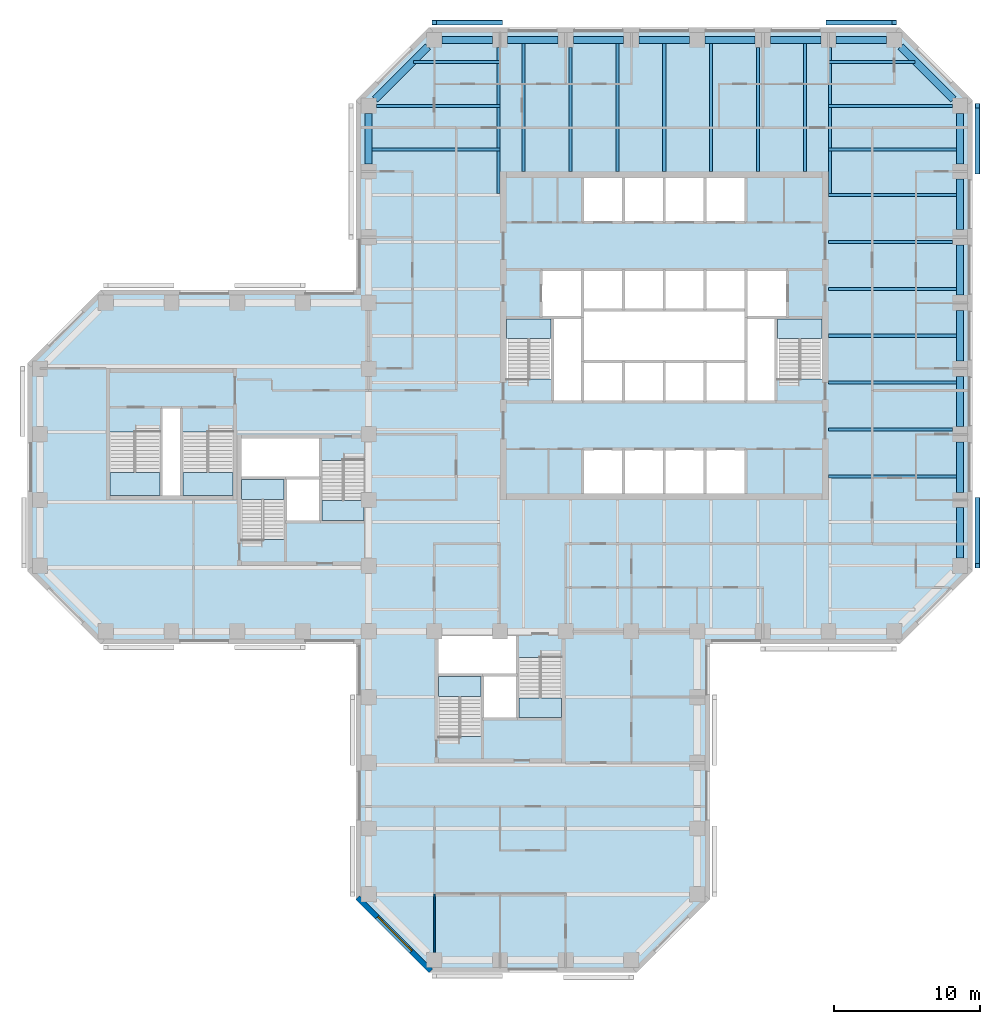
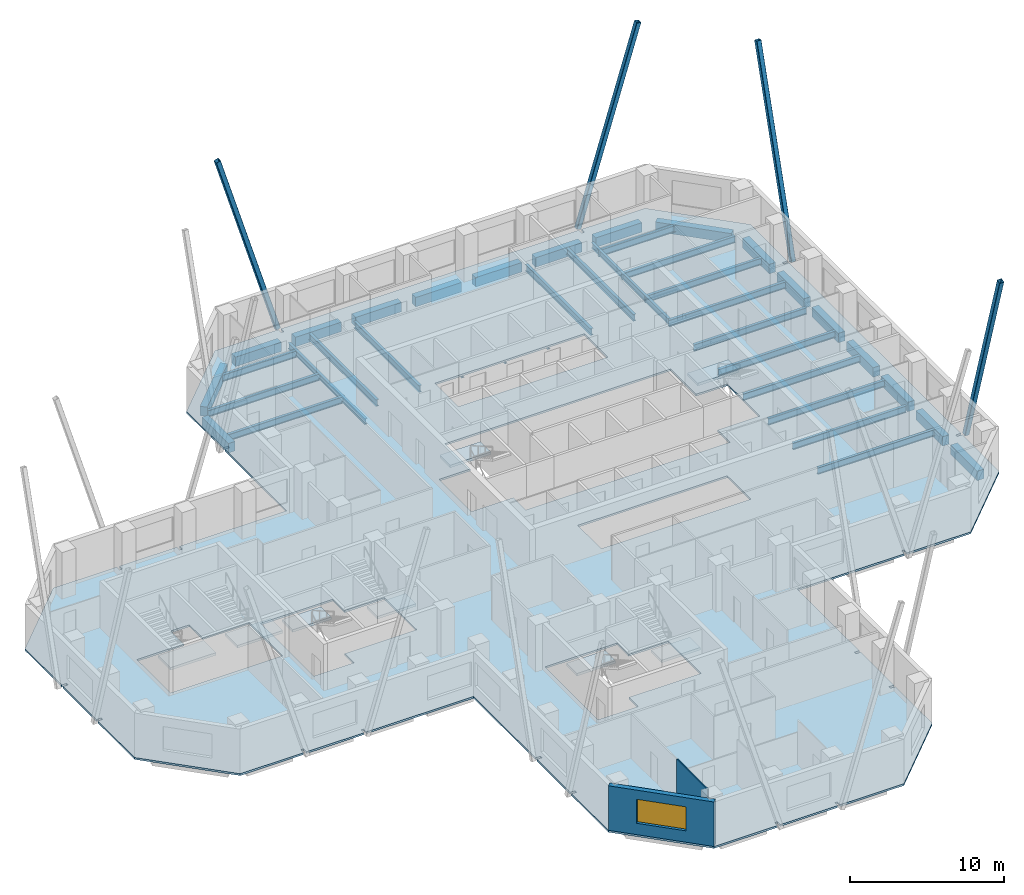
# One storey, part 2 of 11: 39 beams, 9 slabs, 4 members, 2 walls, 1 window, 1 opening, 8 elements without a shape of their own.
"""IFC4 building model written with IfcOpenShell, lengths in metres."""

from ifc_helpers import new_model, si_unit, direction, frame, frame_2d, origin, origin_2d, place, context, subcontext, project, spatial, polyline, rectangle, hollow_rectangle, i_section, outline, extrude, material, layer, layer_set, constituent, constituent_set, material_profile, profile_set, type_object, element, fill, aggregate, save


model = new_model("IFC4")

# Units and contexts
model_context = context("Model", 3, precision=1e-05, world=origin(), true_north=direction((0.0, 1.0)))
body_context = subcontext(model_context, "Body", "Model", "MODEL_VIEW")
ifc_project = project(units=[si_unit("LENGTHUNIT", "METRE"), si_unit("AREAUNIT", "SQUARE_METRE"), si_unit("VOLUMEUNIT", "CUBIC_METRE"), si_unit("PLANEANGLEUNIT", "RADIAN"), si_unit("MASSUNIT", "GRAM", prefix="KILO")], contexts=[model_context])

# Site, building, storey
site_placement = place(None, origin())
site = spatial("IfcSite", under=ifc_project, at=site_placement, CompositionType="ELEMENT")
building_placement = place(site_placement, origin())
building = spatial("IfcBuilding", under=site, at=building_placement, Name="Quoin Convention Tower", CompositionType="ELEMENT")
storey_placement = place(building_placement, frame((0.0, 0.0, 112.199951171875)))
storey = spatial("IfcBuildingStorey", under=building, at=storey_placement, Name="L29", CompositionType="ELEMENT", Elevation=112.199951171875)

# Beams
ifc_material_1 = material(Name="Steel Grade 300", Category="steel")
ifc_material_profile_1 = material_profile(ifc_material_1, i_section(OverallWidth=0.18994140625, OverallDepth=0.4541015625, WebThickness=0.008544921875, FlangeThickness=0.0126953125, FilletRadius=0.011474609375, at=origin_2d()), Name="460UB67.1")
ifc_profile_set_1 = profile_set([ifc_material_profile_1], Name="Steel Grade 300")
beam_type_1 = type_object("IfcBeamType", Name="460UB67.1", PredefinedType="BEAM", material=ifc_profile_set_1)
for number, where, z_axis, x_axis, name in (
    (1, (44.8955078125, 80.47509765625, -0.376953125), (0.0, -1.0, 0.0), (1.0, 0.0, 0.0), "gir-L29-T1NW"),
    (2, (67.6044921875, 80.47509765625, -0.376953125), (0.0, -1.0, 0.0), (1.0, 0.0, 0.0), "gir-L29-T1NE"),
):
    element("IfcBeam", number, at=place(storey_placement, frame(where, z_axis=z_axis, x_axis=x_axis)), inside=storey, type_object=beam_type_1, Name=name, PredefinedType="BEAM", context=body_context, shape_type="SweptSolid", body=[
        extrude(i_section(OverallWidth=0.18994140625, OverallDepth=0.4541015625, WebThickness=0.008544921875, FlangeThickness=0.0126953125, FilletRadius=0.011474609375, at=origin_2d()), origin(), (0.0, 0.0, 1.0), 9.977783203125),
    ])
ifc_material_profile_2 = material_profile(ifc_material_1, i_section(OverallWidth=0.208984375, OverallDepth=0.528076171875, WebThickness=0.009521484375, FlangeThickness=0.01318359375, FilletRadius=0.013916015625, at=origin_2d()), Name="530UB82.0")
ifc_profile_set_2 = profile_set([ifc_material_profile_2], Name="Steel Grade 300")
beam_type_2 = type_object("IfcBeamType", Name="530UB82.0", PredefinedType="BEAM", material=ifc_profile_set_2)
beam_1_placement = place(storey_placement, frame((67.5, 51.107177734375, -0.4140625), z_axis=(1.0, 0.0, 0.0), x_axis=(0.0, 1.0, 0.0)))
element("IfcBeam", 3, at=beam_1_placement, inside=storey, type_object=beam_type_2, Name="bm-L29-T1E0", PredefinedType="BEAM", context=body_context, shape_type="SweptSolid", body=[
    extrude(i_section(OverallWidth=0.208984375, OverallDepth=0.528076171875, WebThickness=0.009521484375, FlangeThickness=0.01318359375, FilletRadius=0.013916015625, at=origin_2d()), origin(), (0.0, 0.0, 1.0), 8.75),
])
beam_2_placement = place(storey_placement, frame((67.5, 54.3212890625, -0.4140625), z_axis=(1.0, 0.0, 0.0), x_axis=(0.0, 1.0, 0.0)))
element("IfcBeam", 4, at=beam_2_placement, inside=storey, type_object=beam_type_2, Name="bm-L29-T1E1", PredefinedType="BEAM", context=body_context, shape_type="SweptSolid", body=[
    extrude(i_section(OverallWidth=0.208984375, OverallDepth=0.528076171875, WebThickness=0.009521484375, FlangeThickness=0.01318359375, FilletRadius=0.013916015625, at=origin_2d()), origin(), (0.0, 0.0, 1.0), 8.47509765625),
])
for number, where, z_axis, x_axis, name in (
    (5, (67.5, 57.53564453125, -0.4140625), (1.0, 0.0, 0.0), (0.0, 1.0, 0.0), "bm-L29-T1E2"),
    (6, (67.5, 60.75, -0.4140625), (1.0, 0.0, 0.0), (0.0, 1.0, 0.0), "bm-L29-T1E3"),
    (7, (67.5, 63.96435546875, -0.4140625), (1.0, 0.0, 0.0), (0.0, 1.0, 0.0), "bm-L29-T1E4"),
):
    element("IfcBeam", number, at=place(storey_placement, frame(where, z_axis=z_axis, x_axis=x_axis)), inside=storey, type_object=beam_type_2, Name=name, PredefinedType="BEAM", context=body_context, shape_type="SweptSolid", body=[
        extrude(i_section(OverallWidth=0.208984375, OverallDepth=0.528076171875, WebThickness=0.009521484375, FlangeThickness=0.01318359375, FilletRadius=0.013916015625, at=origin_2d()), origin(), (0.0, 0.0, 1.0), 8.75),
    ])
beam_3_placement = place(storey_placement, frame((67.5, 67.1787109375, -0.4140625), z_axis=(1.0, 0.0, 0.0), x_axis=(0.0, 1.0, 0.0)))
element("IfcBeam", 8, at=beam_3_placement, inside=storey, type_object=beam_type_2, Name="bm-L29-T1E5", PredefinedType="BEAM", context=body_context, shape_type="SweptSolid", body=[
    extrude(i_section(OverallWidth=0.208984375, OverallDepth=0.528076171875, WebThickness=0.009521484375, FlangeThickness=0.01318359375, FilletRadius=0.013916015625, at=origin_2d()), origin(), (0.0, 0.0, 1.0), 8.47509765625),
])
for number, where, z_axis, x_axis, name in (
    (9, (67.5, 70.392822265625, -0.4140625), (1.0, 0.0, 0.0), (0.0, 1.0, 0.0), "bm-L29-T1E6"),
    (10, (46.607177734375, 72.0, -0.4140625), (0.0, 1.0, 0.0), (-1.0, 0.0, 0.0), "bm-L29-T1N0"),
):
    element("IfcBeam", number, at=place(storey_placement, frame(where, z_axis=z_axis, x_axis=x_axis)), inside=storey, type_object=beam_type_2, Name=name, PredefinedType="BEAM", context=body_context, shape_type="SweptSolid", body=[
        extrude(i_section(OverallWidth=0.208984375, OverallDepth=0.528076171875, WebThickness=0.009521484375, FlangeThickness=0.01318359375, FilletRadius=0.013916015625, at=origin_2d()), origin(), (0.0, 0.0, 1.0), 8.75),
    ])
beam_4_placement = place(storey_placement, frame((49.8212890625, 72.0, -0.4140625), z_axis=(0.0, 1.0, 0.0), x_axis=(-1.0, 0.0, 0.0)))
element("IfcBeam", 11, at=beam_4_placement, inside=storey, type_object=beam_type_2, Name="bm-L29-T1N1", PredefinedType="BEAM", context=body_context, shape_type="SweptSolid", body=[
    extrude(i_section(OverallWidth=0.208984375, OverallDepth=0.528076171875, WebThickness=0.009521484375, FlangeThickness=0.01318359375, FilletRadius=0.013916015625, at=origin_2d()), origin(), (0.0, 0.0, 1.0), 8.47509765625),
])
for number, where, z_axis, x_axis, name in (
    (12, (53.03564453125, 72.0, -0.4140625), (0.0, 1.0, 0.0), (-1.0, 0.0, 0.0), "bm-L29-T1N2"),
    (13, (56.25, 72.0, -0.4140625), (0.0, 1.0, 0.0), (-1.0, 0.0, 0.0), "bm-L29-T1N3"),
    (14, (59.46435546875, 72.0, -0.4140625), (0.0, 1.0, 0.0), (-1.0, 0.0, 0.0), "bm-L29-T1N4"),
):
    element("IfcBeam", number, at=place(storey_placement, frame(where, z_axis=z_axis, x_axis=x_axis)), inside=storey, type_object=beam_type_2, Name=name, PredefinedType="BEAM", context=body_context, shape_type="SweptSolid", body=[
        extrude(i_section(OverallWidth=0.208984375, OverallDepth=0.528076171875, WebThickness=0.009521484375, FlangeThickness=0.01318359375, FilletRadius=0.013916015625, at=origin_2d()), origin(), (0.0, 0.0, 1.0), 8.75),
    ])
beam_5_placement = place(storey_placement, frame((62.6787109375, 72.0, -0.4140625), z_axis=(0.0, 1.0, 0.0), x_axis=(-1.0, 0.0, 0.0)))
element("IfcBeam", 15, at=beam_5_placement, inside=storey, type_object=beam_type_2, Name="bm-L29-T1N5", PredefinedType="BEAM", context=body_context, shape_type="SweptSolid", body=[
    extrude(i_section(OverallWidth=0.208984375, OverallDepth=0.528076171875, WebThickness=0.009521484375, FlangeThickness=0.01318359375, FilletRadius=0.013916015625, at=origin_2d()), origin(), (0.0, 0.0, 1.0), 8.47509765625),
])
beam_6_placement = place(storey_placement, frame((65.892822265625, 72.0, -0.4140625), z_axis=(0.0, 1.0, 0.0), x_axis=(-1.0, 0.0, 0.0)))
element("IfcBeam", 16, at=beam_6_placement, inside=storey, type_object=beam_type_2, Name="bm-L29-T1N6", PredefinedType="BEAM", context=body_context, shape_type="SweptSolid", body=[
    extrude(i_section(OverallWidth=0.208984375, OverallDepth=0.528076171875, WebThickness=0.009521484375, FlangeThickness=0.01318359375, FilletRadius=0.013916015625, at=origin_2d()), origin(), (0.0, 0.0, 1.0), 8.75),
])
beam_7_placement = place(storey_placement, frame((39.072265625, 79.5, -0.4140625), z_axis=(1.0, 0.0, 0.0), x_axis=(0.0, 1.0, 0.0)))
element("IfcBeam", 17, at=beam_7_placement, inside=storey, type_object=beam_type_2, Name="bm-L29-T1NW0", PredefinedType="BEAM", context=body_context, shape_type="SweptSolid", body=[
    extrude(i_section(OverallWidth=0.208984375, OverallDepth=0.528076171875, WebThickness=0.009521484375, FlangeThickness=0.01318359375, FilletRadius=0.013916015625, at=origin_2d()), origin(), (0.0, 0.0, 1.0), 5.927734375),
])
beam_8_placement = place(storey_placement, frame((36.52490234375, 76.5, -0.4140625), z_axis=(1.0, 0.0, 0.0), x_axis=(0.0, 1.0, 0.0)))
element("IfcBeam", 18, at=beam_8_placement, inside=storey, type_object=beam_type_2, Name="bm-L29-T1NW1", PredefinedType="BEAM", context=body_context, shape_type="SweptSolid", body=[
    extrude(i_section(OverallWidth=0.208984375, OverallDepth=0.528076171875, WebThickness=0.009521484375, FlangeThickness=0.01318359375, FilletRadius=0.013916015625, at=origin_2d()), origin(), (0.0, 0.0, 1.0), 8.47509765625),
])
beam_9_placement = place(storey_placement, frame((36.25, 73.5, -0.4140625), z_axis=(1.0, 0.0, 0.0), x_axis=(0.0, 1.0, 0.0)))
element("IfcBeam", 19, at=beam_9_placement, inside=storey, type_object=beam_type_2, Name="bm-L29-T1NW2", PredefinedType="BEAM", context=body_context, shape_type="SweptSolid", body=[
    extrude(i_section(OverallWidth=0.208984375, OverallDepth=0.528076171875, WebThickness=0.009521484375, FlangeThickness=0.01318359375, FilletRadius=0.013916015625, at=origin_2d()), origin(), (0.0, 0.0, 1.0), 8.75),
])
beam_10_placement = place(storey_placement, frame((67.5, 79.5, -0.4140625), z_axis=(1.0, 0.0, 0.0), x_axis=(0.0, 1.0, 0.0)))
element("IfcBeam", 20, at=beam_10_placement, inside=storey, type_object=beam_type_2, Name="bm-L29-T1NE0", PredefinedType="BEAM", context=body_context, shape_type="SweptSolid", body=[
    extrude(i_section(OverallWidth=0.208984375, OverallDepth=0.528076171875, WebThickness=0.009521484375, FlangeThickness=0.01318359375, FilletRadius=0.013916015625, at=origin_2d()), origin(), (0.0, 0.0, 1.0), 5.927734375),
])
beam_11_placement = place(storey_placement, frame((67.5, 76.5, -0.4140625), z_axis=(1.0, 0.0, 0.0), x_axis=(0.0, 1.0, 0.0)))
element("IfcBeam", 21, at=beam_11_placement, inside=storey, type_object=beam_type_2, Name="bm-L29-T1NE1", PredefinedType="BEAM", context=body_context, shape_type="SweptSolid", body=[
    extrude(i_section(OverallWidth=0.208984375, OverallDepth=0.528076171875, WebThickness=0.009521484375, FlangeThickness=0.01318359375, FilletRadius=0.013916015625, at=origin_2d()), origin(), (0.0, 0.0, 1.0), 8.47509765625),
])
beam_12_placement = place(storey_placement, frame((67.5, 73.5, -0.4140625), z_axis=(1.0, 0.0, 0.0), x_axis=(0.0, 1.0, 0.0)))
element("IfcBeam", 22, at=beam_12_placement, inside=storey, type_object=beam_type_2, Name="bm-L29-T1NE2", PredefinedType="BEAM", context=body_context, shape_type="SweptSolid", body=[
    extrude(i_section(OverallWidth=0.208984375, OverallDepth=0.528076171875, WebThickness=0.009521484375, FlangeThickness=0.01318359375, FilletRadius=0.013916015625, at=origin_2d()), origin(), (0.0, 0.0, 1.0), 8.75),
])

# Members
ifc_material_2 = material(Name="Steel C450L0", Category="steel")
ifc_material_profile_3 = material_profile(ifc_material_2, hollow_rectangle(XDim=0.35009765625, YDim=0.35009765625, WallThickness=0.01611328125, InnerFilletRadius=0.02392578125, OuterFilletRadius=0.0400390625, at=origin_2d()), Name="350x350x16.0SHS")
ifc_profile_set_3 = profile_set([ifc_material_profile_3], Name="Steel C450L0")
member_type = type_object("IfcMemberType", Name="Exposed brace 350x350x16.0SHS", PredefinedType="BRACE", material=ifc_profile_set_3)
for number, where, z_axis, x_axis, name in (
    (23, (67.5, 82.199951171875, -0.074951171875), (0.290903487189, 0.0, 0.956752403259), (0.0, 1.0, 0.0), "brc-L29-72000_81000-67500_81000"),
    (24, (45.0, 82.199951171875, -0.074951171875), (-0.290903487189, 0.0, 0.956752403259), (0.0, -1.0, 0.0), "brc-L29-45000_81000-40500_81000"),
    (25, (77.699951171875, 49.5, -0.074951171875), (0.0, -0.290903487189, 0.956752403259), (1.0, 0.0, 0.0), "brc-L29-76500_45000-76500_49500"),
    (26, (77.699951171875, 72.0, -0.074951171875), (0.0, 0.290903487189, 0.956752403259), (-1.0, 0.0, 0.0), "brc-L29-76500_72000-76500_76500"),
):
    element("IfcMember", number, at=place(storey_placement, frame(where, z_axis=z_axis, x_axis=x_axis)), inside=storey, type_object=member_type, Name=name, PredefinedType="BRACE", context=body_context, shape_type="SweptSolid", body=[
        extrude(hollow_rectangle(XDim=0.35009765625, YDim=0.35009765625, WallThickness=0.01611328125, InnerFilletRadius=0.02392578125, OuterFilletRadius=0.0400390625, at=origin_2d()), origin(), (0.0, 0.0, 1.0), 15.468994140625),
    ])

# Beams
ifc_material_3 = material(Name="Concrete C65", Category="concrete")
ifc_material_profile_4 = material_profile(ifc_material_3, rectangle(XDim=0.5, YDim=0.75, at=origin_2d()), Name="RC 500x750")
ifc_profile_set_4 = profile_set([ifc_material_profile_4], Name="Concrete C65")
beam_type_3 = type_object("IfcBeamType", Name="RC 500x750 C65", PredefinedType="SPANDREL", material=ifc_profile_set_4)
for number, where, z_axis, x_axis, name in (
    (27, (76.5, 45.52490234375, -0.52490234375), (0.0, 1.0, 0.0), (-1.0, 0.0, 0.0), "spd-L29-76500_45000-76500_49500"),
    (28, (76.5, 50.02490234375, -0.52490234375), (0.0, 1.0, 0.0), (-1.0, 0.0, 0.0), "spd-L29-76500_49500-76500_54000"),
    (29, (76.5, 54.52490234375, -0.52490234375), (0.0, 1.0, 0.0), (-1.0, 0.0, 0.0), "spd-L29-76500_54000-76500_58500"),
    (30, (76.5, 59.02490234375, -0.52490234375), (0.0, 1.0, 0.0), (-1.0, 0.0, 0.0), "spd-L29-76500_58500-76500_63000"),
    (31, (76.5, 63.52490234375, -0.52490234375), (0.0, 1.0, 0.0), (-1.0, 0.0, 0.0), "spd-L29-76500_63000-76500_67500"),
    (32, (76.5, 68.02490234375, -0.52490234375), (0.0, 1.0, 0.0), (-1.0, 0.0, 0.0), "spd-L29-76500_67500-76500_72000"),
    (33, (76.5, 72.52490234375, -0.52490234375), (0.0, 1.0, 0.0), (-1.0, 0.0, 0.0), "spd-L29-76500_72000-76500_76500"),
):
    element("IfcBeam", number, at=place(storey_placement, frame(where, z_axis=z_axis, x_axis=x_axis)), inside=storey, type_object=beam_type_3, Name=name, PredefinedType="SPANDREL", context=body_context, shape_type="SweptSolid", body=[
        extrude(rectangle(XDim=0.5, YDim=0.75, at=origin_2d()), origin(), (0.0, 0.0, 1.0), 3.4501953125),
    ])
beam_13_placement = place(storey_placement, frame((76.059814453125, 76.940185546875, -0.52490234375), z_axis=(-0.707106781187, 0.707106781187, 0.0), x_axis=(-0.707106781187, -0.707106781187, 0.0)))
element("IfcBeam", 34, at=beam_13_placement, inside=storey, type_object=beam_type_3, Name="spd-L29-76500_76500-72000_81000", PredefinedType="SPANDREL", context=body_context, shape_type="SweptSolid", body=[
    extrude(rectangle(XDim=0.5, YDim=0.75, at=origin_2d()), origin(), (0.0, 0.0, 1.0), 5.118896484375),
])
for number, where, z_axis, x_axis, name in (
    (35, (71.47509765625, 81.0, -0.52490234375), (-1.0, 0.0, 0.0), (0.0, -1.0, 0.0), "spd-L29-72000_81000-67500_81000"),
    (36, (66.97509765625, 81.0, -0.52490234375), (-1.0, 0.0, 0.0), (0.0, -1.0, 0.0), "spd-L29-67500_81000-63000_81000"),
    (37, (62.47509765625, 81.0, -0.52490234375), (-1.0, 0.0, 0.0), (0.0, -1.0, 0.0), "spd-L29-63000_81000-58500_81000"),
    (38, (57.97509765625, 81.0, -0.52490234375), (-1.0, 0.0, 0.0), (0.0, -1.0, 0.0), "spd-L29-58500_81000-54000_81000"),
    (39, (53.47509765625, 81.0, -0.52490234375), (-1.0, 0.0, 0.0), (0.0, -1.0, 0.0), "spd-L29-54000_81000-49500_81000"),
    (40, (48.97509765625, 81.0, -0.52490234375), (-1.0, 0.0, 0.0), (0.0, -1.0, 0.0), "spd-L29-49500_81000-45000_81000"),
    (41, (44.47509765625, 81.0, -0.52490234375), (-1.0, 0.0, 0.0), (0.0, -1.0, 0.0), "spd-L29-45000_81000-40500_81000"),
):
    element("IfcBeam", number, at=place(storey_placement, frame(where, z_axis=z_axis, x_axis=x_axis)), inside=storey, type_object=beam_type_3, Name=name, PredefinedType="SPANDREL", context=body_context, shape_type="SweptSolid", body=[
        extrude(rectangle(XDim=0.5, YDim=0.75, at=origin_2d()), origin(), (0.0, 0.0, 1.0), 3.4501953125),
    ])
beam_14_placement = place(storey_placement, frame((40.059814453125, 80.559814453125, -0.52490234375), z_axis=(-0.707106781187, -0.707106781187, 0.0), x_axis=(0.707106781187, -0.707106781187, 0.0)))
element("IfcBeam", 42, at=beam_14_placement, inside=storey, type_object=beam_type_3, Name="spd-L29-40500_81000-36000_76500", PredefinedType="SPANDREL", context=body_context, shape_type="SweptSolid", body=[
    extrude(rectangle(XDim=0.5, YDim=0.75, at=origin_2d()), origin(), (0.0, 0.0, 1.0), 5.118896484375),
])
beam_15_placement = place(storey_placement, frame((36.0, 75.97509765625, -0.52490234375), z_axis=(0.0, -1.0, 0.0), x_axis=(1.0, 0.0, 0.0)))
element("IfcBeam", 43, at=beam_15_placement, inside=storey, type_object=beam_type_3, Name="spd-L29-36000_76500-36000_72000", PredefinedType="SPANDREL", context=body_context, shape_type="SweptSolid", body=[
    extrude(rectangle(XDim=0.5, YDim=0.75, at=origin_2d()), origin(), (0.0, 0.0, 1.0), 3.4501953125),
])

# Slab
ifc_material_4 = material(Name="Concrete C40", Category="concrete")
ifc_layer_1 = layer(ifc_material_4, 0.14990234375)
ifc_layer_set_1 = layer_set([ifc_layer_1], Name="Concrete C40")
slab_type_1 = type_object("IfcSlabType", Name="COMPOSITE SLAB 150 C40", PredefinedType="FLOOR", material=ifc_layer_set_1)
slab_1_placement = place(storey_placement, frame((0.0, 0.0, -0.14990234375)))
element("IfcSlab", 44, at=slab_1_placement, inside=storey, type_object=slab_type_1, Name="slb-L29", PredefinedType="FLOOR", context=body_context, shape_type="SweptSolid", body=[
    extrude(outline(polyline([(54.3623046875, 17.125), (49.594970703125, 17.125), (49.594970703125, 17.4951171875), (49.405029296875, 17.4951171875), (49.405029296875, 17.125), (45.094970703125, 17.125), (45.094970703125, 17.4951171875), (44.905029296875, 17.4951171875), (44.905029296875, 17.125), (40.1376953125, 17.125), (35.125, 22.1376953125), (35.125, 26.905029296875), (35.4951171875, 26.905029296875), (35.4951171875, 27.094970703125), (35.125, 27.094970703125), (35.125, 31.405029296875), (35.4951171875, 31.405029296875), (35.4951171875, 31.594970703125), (35.125, 31.594970703125), (35.125, 39.625), (27.094970703125, 39.625), (27.094970703125, 39.9951171875), (26.905029296875, 39.9951171875), (26.905029296875, 39.625), (22.594970703125, 39.625), (22.594970703125, 39.9951171875), (22.405029296875, 39.9951171875), (22.405029296875, 39.625), (17.6376953125, 39.625), (12.625, 44.6376953125), (12.625, 49.405029296875), (12.9951171875, 49.405029296875), (12.9951171875, 49.594970703125), (12.625, 49.594970703125), (12.625, 53.905029296875), (12.9951171875, 53.905029296875), (12.9951171875, 54.094970703125), (12.625, 54.094970703125), (12.625, 58.8623046875), (17.6376953125, 63.875), (22.405029296875, 63.875), (22.405029296875, 63.5048828125), (22.594970703125, 63.5048828125), (22.594970703125, 63.875), (26.905029296875, 63.875), (26.905029296875, 63.5048828125), (27.094970703125, 63.5048828125), (27.094970703125, 63.875), (35.125, 63.875), (35.125, 71.905029296875), (35.4951171875, 71.905029296875), (35.4951171875, 72.094970703125), (35.125, 72.094970703125), (35.125, 76.8623046875), (40.1376953125, 81.875), (44.905029296875, 81.875), (44.905029296875, 81.5048828125), (45.094970703125, 81.5048828125), (45.094970703125, 81.875), (67.405029296875, 81.875), (67.405029296875, 81.5048828125), (67.594970703125, 81.5048828125), (67.594970703125, 81.875), (72.3623046875, 81.875), (77.375, 76.8623046875), (77.375, 72.094970703125), (77.0048828125, 72.094970703125), (77.0048828125, 71.905029296875), (77.375, 71.905029296875), (77.375, 49.594970703125), (77.0048828125, 49.594970703125), (77.0048828125, 49.405029296875), (77.375, 49.405029296875), (77.375, 44.6376953125), (72.3623046875, 39.625), (67.594970703125, 39.625), (67.594970703125, 39.9951171875), (67.405029296875, 39.9951171875), (67.405029296875, 39.625), (59.375, 39.625), (59.375, 31.594970703125), (59.0048828125, 31.594970703125), (59.0048828125, 31.405029296875), (59.375, 31.405029296875), (59.375, 27.094970703125), (59.0048828125, 27.094970703125), (59.0048828125, 26.905029296875), (59.375, 26.905029296875), (59.375, 22.1376953125), (54.3623046875, 17.125)]), holes=[polyline([(40.800048828125, 37.5), (40.800048828125, 33.300537109375), (43.800048828125, 33.300537109375), (43.800048828125, 34.5), (46.199951171875, 34.5), (49.199951171875, 34.5), (49.199951171875, 38.699462890625), (46.199951171875, 38.699462890625), (46.199951171875, 40.199951171875), (40.800048828125, 40.199951171875), (40.800048828125, 37.5)]), polyline([(32.699951171875, 52.199462890625), (32.699951171875, 53.699951171875), (27.300048828125, 53.699951171875), (27.300048828125, 51.0), (27.300048828125, 46.800537109375), (30.300048828125, 46.800537109375), (30.300048828125, 48.0), (32.699951171875, 48.0), (35.699951171875, 48.0), (35.699951171875, 52.199462890625), (32.699951171875, 52.199462890625)]), polyline([(56.25, 49.949951171875), (59.050048828125, 49.949951171875), (61.85009765625, 49.949951171875), (61.85009765625, 53.0), (59.050048828125, 53.0), (56.25, 53.0), (53.449951171875, 53.0), (50.64990234375, 53.0), (50.64990234375, 49.949951171875), (53.449951171875, 49.949951171875), (56.25, 49.949951171875)]), polyline([(21.800048828125, 54.1494140625), (18.300048828125, 54.1494140625), (18.300048828125, 49.800048828125), (21.800048828125, 49.800048828125), (23.199951171875, 49.800048828125), (26.699951171875, 49.800048828125), (26.699951171875, 54.1494140625), (23.199951171875, 54.1494140625), (23.199951171875, 55.85009765625), (21.800048828125, 55.85009765625), (21.800048828125, 54.1494140625)]), polyline([(48.60009765625, 56.199951171875), (50.64990234375, 56.199951171875), (53.449951171875, 56.199951171875), (56.25, 56.199951171875), (59.050048828125, 56.199951171875), (61.85009765625, 56.199951171875), (63.89990234375, 56.199951171875), (63.89990234375, 57.800537109375), (67.050048828125, 57.800537109375), (67.050048828125, 62.0), (64.699951171875, 62.0), (64.699951171875, 65.300048828125), (61.85009765625, 65.300048828125), (59.050048828125, 65.300048828125), (56.25, 65.300048828125), (53.449951171875, 65.300048828125), (50.64990234375, 65.300048828125), (47.800048828125, 65.300048828125), (47.800048828125, 62.0), (45.449951171875, 62.0), (45.449951171875, 57.800537109375), (48.60009765625, 57.800537109375), (48.60009765625, 56.199951171875)]), polyline([(53.449951171875, 68.5), (56.25, 68.5), (59.050048828125, 68.5), (61.85009765625, 68.5), (61.85009765625, 71.550048828125), (59.050048828125, 71.550048828125), (56.25, 71.550048828125), (53.449951171875, 71.550048828125), (50.64990234375, 71.550048828125), (50.64990234375, 68.5), (53.449951171875, 68.5)])]), origin(), (0.0, 0.0, 1.0), 0.14990234375),
])

# Stair, slab
stair_type_1 = type_object("IfcStairType", Name="Exit stair two-flight 1350", PredefinedType="HALF_TURN_STAIR", material=ifc_material_4)
stair_1_placement = place(storey_placement, origin())
stair_1 = element("IfcStair", 45, at=stair_1_placement, inside=storey, type_object=stair_type_1, Name="SD1 L29", PredefinedType="HALF_TURN_STAIR")
ifc_layer_2 = layer(ifc_material_4, 0.199951171875)
ifc_layer_set_2 = layer_set([ifc_layer_2], Name="Concrete C40")
slab_type_2 = type_object("IfcSlabType", Name="Stair landing 200", PredefinedType="LANDING", material=ifc_layer_set_2)
slab_2_placement = place(storey_placement, frame((0.0, 0.0, 1.792236328125)))
slab_2 = element("IfcSlab", 46, at=slab_2_placement, type_object=slab_type_2, Name="ST1 landing 1", PredefinedType="LANDING", context=body_context, shape_type="SweptSolid", body=[
    extrude(outline(polyline([(45.449951171875, 60.550048828125), (48.5, 60.550048828125), (48.5, 61.89990234375), (45.449951171875, 61.89990234375), (45.449951171875, 60.550048828125)])), origin(), (0.0, 0.0, 1.0), 0.2001953125),
])
aggregate(stair_1, [slab_2])

stair_2_placement = place(storey_placement, origin())
stair_2 = element("IfcStair", 47, at=stair_2_placement, inside=storey, type_object=stair_type_1, Name="SD2 L29", PredefinedType="HALF_TURN_STAIR")
slab_3_placement = place(storey_placement, frame((0.0, 0.0, 1.792236328125)))
slab_3 = element("IfcSlab", 48, at=slab_3_placement, type_object=slab_type_2, Name="ST2 landing 1", PredefinedType="LANDING", context=body_context, shape_type="SweptSolid", body=[
    extrude(outline(polyline([(64.0, 60.550048828125), (67.050048828125, 60.550048828125), (67.050048828125, 61.89990234375), (64.0, 61.89990234375), (64.0, 60.550048828125)])), origin(), (0.0, 0.0, 1.0), 0.2001953125),
])
aggregate(stair_2, [slab_3])

stair_3_placement = place(storey_placement, origin())
stair_3 = element("IfcStair", 49, at=stair_3_placement, inside=storey, type_object=stair_type_1, Name="SD3 L29", PredefinedType="HALF_TURN_STAIR")
slab_4_placement = place(storey_placement, frame((0.0, 0.0, 1.792236328125)))
slab_4 = element("IfcSlab", 50, at=slab_4_placement, type_object=slab_type_2, Name="ST3 landing 1", PredefinedType="LANDING", context=body_context, shape_type="SweptSolid", body=[
    extrude(outline(polyline([(27.300048828125, 49.550048828125), (30.199951171875, 49.550048828125), (30.199951171875, 50.89990234375), (27.300048828125, 50.89990234375), (27.300048828125, 49.550048828125)])), origin(), (0.0, 0.0, 1.0), 0.2001953125),
])
aggregate(stair_3, [slab_4])

stair_4_placement = place(storey_placement, origin())
stair_4 = element("IfcStair", 51, at=stair_4_placement, inside=storey, type_object=stair_type_1, Name="SD4 L29", PredefinedType="HALF_TURN_STAIR")
slab_5_placement = place(storey_placement, frame((0.0, 0.0, 1.792236328125)))
slab_5 = element("IfcSlab", 52, at=slab_5_placement, type_object=slab_type_2, Name="ST4 landing 1", PredefinedType="LANDING", context=body_context, shape_type="SweptSolid", body=[
    extrude(outline(polyline([(35.699951171875, 49.449951171875), (32.800048828125, 49.449951171875), (32.800048828125, 48.10009765625), (35.699951171875, 48.10009765625), (35.699951171875, 49.449951171875)])), origin(), (0.0, 0.0, 1.0), 0.2001953125),
])
aggregate(stair_4, [slab_5])

stair_5_placement = place(storey_placement, origin())
stair_5 = element("IfcStair", 53, at=stair_5_placement, inside=storey, type_object=stair_type_1, Name="SD5 L29", PredefinedType="HALF_TURN_STAIR")
slab_6_placement = place(storey_placement, frame((0.0, 0.0, 1.792236328125)))
slab_6 = element("IfcSlab", 54, at=slab_6_placement, type_object=slab_type_2, Name="ST5 landing 1", PredefinedType="LANDING", context=body_context, shape_type="SweptSolid", body=[
    extrude(outline(polyline([(40.800048828125, 36.050048828125), (43.699951171875, 36.050048828125), (43.699951171875, 37.39990234375), (40.800048828125, 37.39990234375), (40.800048828125, 36.050048828125)])), origin(), (0.0, 0.0, 1.0), 0.2001953125),
])
aggregate(stair_5, [slab_6])

stair_6_placement = place(storey_placement, origin())
stair_6 = element("IfcStair", 55, at=stair_6_placement, inside=storey, type_object=stair_type_1, Name="SD6 L29", PredefinedType="HALF_TURN_STAIR")
slab_7_placement = place(storey_placement, frame((0.0, 0.0, 1.792236328125)))
slab_7 = element("IfcSlab", 56, at=slab_7_placement, type_object=slab_type_2, Name="ST6 landing 1", PredefinedType="LANDING", context=body_context, shape_type="SweptSolid", body=[
    extrude(outline(polyline([(49.199951171875, 35.949951171875), (46.300048828125, 35.949951171875), (46.300048828125, 34.60009765625), (49.199951171875, 34.60009765625), (49.199951171875, 35.949951171875)])), origin(), (0.0, 0.0, 1.0), 0.2001953125),
])
aggregate(stair_6, [slab_7])

stair_type_2 = type_object("IfcStairType", Name="Exit stair two-flight 1600", PredefinedType="HALF_TURN_STAIR", material=ifc_material_4)
stair_7_placement = place(storey_placement, origin())
stair_7 = element("IfcStair", 57, at=stair_7_placement, inside=storey, type_object=stair_type_2, Name="SD11 L29", PredefinedType="HALF_TURN_STAIR")
slab_8_placement = place(storey_placement, frame((0.0, 0.0, 1.792236328125)))
slab_8 = element("IfcSlab", 58, at=slab_8_placement, type_object=slab_type_2, Name="ST11 landing 1", PredefinedType="LANDING", context=body_context, shape_type="SweptSolid", body=[
    extrude(outline(polyline([(21.699951171875, 51.39990234375), (18.300048828125, 51.39990234375), (18.300048828125, 49.800048828125), (21.699951171875, 49.800048828125), (21.699951171875, 51.39990234375)])), origin(), (0.0, 0.0, 1.0), 0.2001953125),
])
aggregate(stair_7, [slab_8])

stair_8_placement = place(storey_placement, origin())
stair_8 = element("IfcStair", 59, at=stair_8_placement, inside=storey, type_object=stair_type_2, Name="SD12 L29", PredefinedType="HALF_TURN_STAIR")
slab_9_placement = place(storey_placement, frame((0.0, 0.0, 1.792236328125)))
slab_9 = element("IfcSlab", 60, at=slab_9_placement, type_object=slab_type_2, Name="ST12 landing 1", PredefinedType="LANDING", context=body_context, shape_type="SweptSolid", body=[
    extrude(outline(polyline([(26.699951171875, 51.39990234375), (23.300048828125, 51.39990234375), (23.300048828125, 49.800048828125), (26.699951171875, 49.800048828125), (26.699951171875, 51.39990234375)])), origin(), (0.0, 0.0, 1.0), 0.2001953125),
])
aggregate(stair_8, [slab_9])

# Wall, opening, window
ifc_material_5 = material(Name="Brick masonry", Category="masonry")
ifc_layer_3 = layer(ifc_material_5, 0.35009765625)
ifc_layer_set_3 = layer_set([ifc_layer_3], Name="Brick masonry")
wall_type_1 = type_object("IfcWallType", Name="Brick facade wall", PredefinedType="STANDARD", material=ifc_layer_set_3)
wall_1_placement = place(storey_placement, frame((35.248779296875, 22.26123046875, 0.0), z_axis=(0.0, 0.0, 1.0), x_axis=(0.707106781187, -0.707106781187, 0.0)))
wall_1 = element("IfcWall", 61, at=wall_1_placement, inside=storey, type_object=wall_type_1, Name="fw-L29-36000_22500", PredefinedType="STANDARD", context=body_context, shape_type="SweptSolid", body=[
    extrude(rectangle(XDim=7.088623046875, YDim=0.35009765625, at=frame_2d((3.54443359375, 0.0))), origin(), (0.0, 0.0, 1.0), 3.525146484375),
])
opening_placement = place(wall_1_placement, frame((1.894287109375, 0.0, 0.89990234375)))
opening = element("IfcOpeningElement", 62, at=opening_placement, cuts=wall_1, Name="Opening W-02", PredefinedType="OPENING", context=body_context, shape_type="SweptSolid", body=[
    extrude(rectangle(XDim=3.300048828125, YDim=1.89990234375, at=frame_2d((1.64990234375, 0.949951171875))), frame((0.0, 0.18505859375, 0.0), z_axis=(0.0, -1.0, 0.0), x_axis=(1.0, 0.0, 0.0)), (0.0, 0.0, 1.0), 0.3701171875),
])
ifc_material_6 = material(Name="Aluminium", Category="aluminium")
ifc_constituent_1 = constituent(ifc_material_6, Name="Frame")
ifc_material_7 = material(Name="Insulated glass", Category="glass")
ifc_constituent_2 = constituent(ifc_material_7, Name="Glazing")
ifc_constituent_set = constituent_set(constituents=[ifc_constituent_1, ifc_constituent_2], Name="Aluminium")
window_type = type_object("IfcWindowType", Name="Office window", PartitioningType="DOUBLE_PANEL_VERTICAL", PredefinedType="WINDOW", material=ifc_constituent_set)
window_placement = place(opening_placement, origin())
window = element("IfcWindow", 63, at=window_placement, inside=storey, type_object=window_type, Name="win-L29-37755_19755", OverallHeight=1.89990234375, OverallWidth=3.300048828125, PartitioningType="SINGLE_PANEL", PredefinedType="WINDOW", context=body_context, shape_type="SweptSolid", body=[
    extrude(rectangle(XDim=3.300048828125, YDim=1.89990234375, at=frame_2d((1.64990234375, 0.949951171875))), frame((0.0, 0.0849609375, 0.0), z_axis=(0.0, -1.0, 0.0), x_axis=(1.0, 0.0, 0.0)), (0.0, 0.0, 1.0), 0.06005859375),
])
fill(opening, window)

# Wall
ifc_material_8 = material(Name="Plasterboard")
ifc_layer_4 = layer(ifc_material_8, 0.012451171875, Name="Finish")
ifc_material_9 = material(Name="Steel stud framing", Category="steel")
ifc_layer_5 = layer(ifc_material_9, 0.074951171875, Name="Structure")
ifc_layer_6 = layer(ifc_material_8, 0.012451171875, Name="Finish")
ifc_layer_set_4 = layer_set([ifc_layer_4, ifc_layer_5, ifc_layer_6], Name="Steel stud framing")
wall_type_2 = type_object("IfcWallType", Name="Stud partition 100", PredefinedType="PARTITIONING", material=ifc_layer_set_4)
wall_2_placement = place(storey_placement, frame((40.5, 18.52490234375, 0.0), z_axis=(0.0, 0.0, 1.0), x_axis=(0.0, 1.0, 0.0)))
element("IfcWall", 64, at=wall_2_placement, inside=storey, type_object=wall_type_2, Name="pw-L29-065", PredefinedType="PARTITIONING", context=body_context, shape_type="SweptSolid", body=[
    extrude(rectangle(XDim=3.97509765625, YDim=0.10009765625, at=frame_2d((1.987548828125, 0.0))), origin(), (0.0, 0.0, 1.0), 3.550048828125),
])

save(model, "model.ifc")
